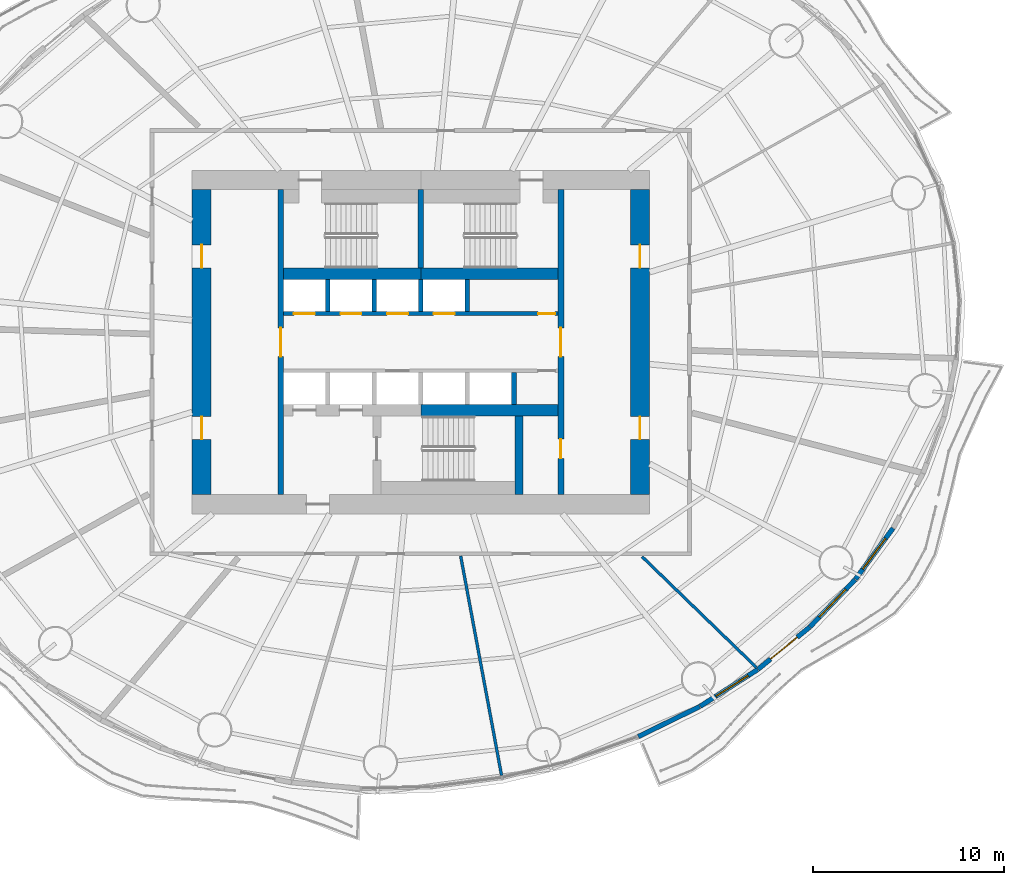
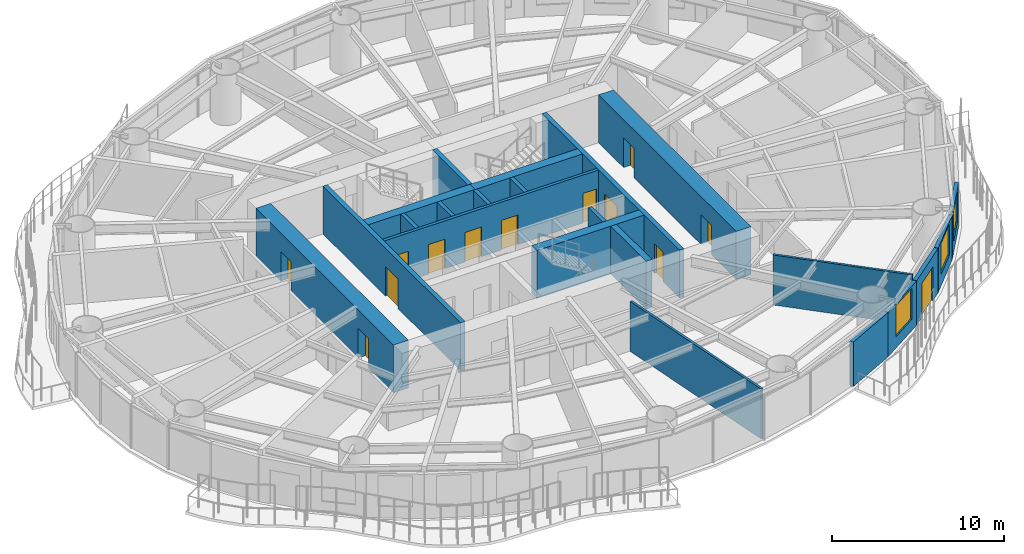
# One storey, part 9 of 17: 22 walls, 13 doors, 3 windows, 16 openings.
"""IFC4 building model written with IfcOpenShell, lengths in metres."""

from ifc_helpers import new_model, si_unit, direction, frame, frame_2d, origin, place, context, subcontext, project, spatial, rectangle, extrude, material, layer, layer_set, type_object, element, fill, save


model = new_model("IFC4")

# Units and contexts
model_context = context("Model", 3, precision=1e-05, world=origin(), true_north=direction((0.0, 1.0)))
body_context = subcontext(model_context, "Body", "Model", "MODEL_VIEW")
ifc_project = project(units=[si_unit("LENGTHUNIT", "METRE"), si_unit("AREAUNIT", "SQUARE_METRE"), si_unit("VOLUMEUNIT", "CUBIC_METRE"), si_unit("PLANEANGLEUNIT", "RADIAN"), si_unit("MASSUNIT", "GRAM", prefix="KILO")], contexts=[model_context])

# Site, building, storey
site_placement = place(None, origin())
site = spatial("IfcSite", under=ifc_project, at=site_placement, CompositionType="ELEMENT")
building_placement = place(site_placement, origin())
building = spatial("IfcBuilding", under=site, at=building_placement, Name="Vermilion Reach Broadcast Tower", CompositionType="ELEMENT")
storey_placement = place(building_placement, frame((0.0, 0.0, 76.699951171875)))
storey = spatial("IfcBuildingStorey", under=building, at=storey_placement, Name="L16", CompositionType="ELEMENT", Elevation=76.699951171875)

# Wall, opening, door
ifc_material_1 = material(Name="Concrete C70", Category="concrete")
ifc_layer_1 = layer(ifc_material_1, 0.300048828125)
ifc_layer_set_1 = layer_set([ifc_layer_1], Name="Core inner wall 300 mm Concrete C70")
wall_type_1 = type_object("IfcWallType", Name="Core inner wall 300 mm Concrete C70", PredefinedType="SHEAR", material=ifc_layer_set_1)
wall_1_placement = place(storey_placement, frame((-13.35009765625, 8.0, 0.0), z_axis=(0.0, 0.0, 1.0), x_axis=(0.0, -1.0, 0.0)))
wall_1 = element("IfcWall", 1, at=wall_1_placement, inside=storey, type_object=wall_type_1, Name="L16 core wall ewW", PredefinedType="SHEAR", context=body_context, shape_type="SweptSolid", body=[
    extrude(rectangle(XDim=16.0, YDim=0.300048828125, at=frame_2d((8.0, 0.0))), origin(), (0.0, 0.0, 1.0), 3.400146484375),
])
opening_1_placement = place(wall_1_placement, frame((7.25, 0.0, 0.0)))
opening_1 = element("IfcOpeningElement", 2, at=opening_1_placement, cuts=wall_1, Name="Opening D04", PredefinedType="OPENING", context=body_context, shape_type="SweptSolid", body=[
    extrude(rectangle(XDim=1.5, YDim=2.10009765625, at=frame_2d((0.75, 1.050048828125))), frame((0.0, 0.159912109375, 0.0), z_axis=(0.0, -1.0, 0.0), x_axis=(1.0, 0.0, 0.0)), (0.0, 0.0, 1.0), 0.320068359375),
])
ifc_material_2 = material(Name="Painted steel fire door", Category="steel")
door_type_1 = type_object("IfcDoorType", Name="Lift lobby door 1500 x 2100", OperationType="DOUBLE_DOOR_SINGLE_SWING", PredefinedType="NOTDEFINED", material=ifc_material_2)
door_1_placement = place(opening_1_placement, origin())
door_1 = element("IfcDoor", 3, at=door_1_placement, inside=storey, type_object=door_type_1, Name="L16 band door BW", OperationType="DOUBLE_DOOR_SINGLE_SWING", OverallHeight=2.10009765625, OverallWidth=1.5, PredefinedType="NOTDEFINED", context=body_context, shape_type="SweptSolid", body=[
    extrude(rectangle(XDim=1.5, YDim=2.10009765625, at=frame_2d((0.75, 1.050048828125))), frame((0.0, 0.02490234375, 0.0), z_axis=(0.0, -1.0, 0.0), x_axis=(1.0, 0.0, 0.0)), (0.0, 0.0, 1.0), 0.050048828125),
])
fill(opening_1, door_1)

# Wall, openings, doors
wall_2_placement = place(storey_placement, frame((1.35009765625, -8.0, 0.0), z_axis=(0.0, 0.0, 1.0), x_axis=(0.0, 1.0, 0.0)))
wall_2 = element("IfcWall", 4, at=wall_2_placement, inside=storey, type_object=wall_type_1, Name="L16 core wall ewE", PredefinedType="SHEAR", context=body_context, shape_type="SweptSolid", body=[
    extrude(rectangle(XDim=16.0, YDim=0.300048828125, at=frame_2d((8.0, 0.0))), origin(), (0.0, 0.0, 1.0), 3.400146484375),
])
opening_2_placement = place(wall_2_placement, frame((1.909912109375, 0.0, 0.0)))
opening_2 = element("IfcOpeningElement", 5, at=opening_2_placement, cuts=wall_2, Name="Opening D05", PredefinedType="OPENING", context=body_context, shape_type="SweptSolid", body=[
    extrude(rectangle(XDim=1.0, YDim=2.10009765625, at=frame_2d((0.5, 1.050048828125))), frame((0.0, 0.159912109375, 0.0), z_axis=(0.0, -1.0, 0.0), x_axis=(1.0, 0.0, 0.0)), (0.0, 0.0, 1.0), 0.320068359375),
])
opening_3_placement = place(wall_2_placement, frame((7.25, 0.0, 0.0)))
opening_3 = element("IfcOpeningElement", 6, at=opening_3_placement, cuts=wall_2, Name="Opening D04", PredefinedType="OPENING", context=body_context, shape_type="SweptSolid", body=[
    extrude(rectangle(XDim=1.5, YDim=2.10009765625, at=frame_2d((0.75, 1.050048828125))), frame((0.0, 0.159912109375, 0.0), z_axis=(0.0, -1.0, 0.0), x_axis=(1.0, 0.0, 0.0)), (0.0, 0.0, 1.0), 0.320068359375),
])
door_2_placement = place(opening_3_placement, origin())
door_2 = element("IfcDoor", 7, at=door_2_placement, inside=storey, type_object=door_type_1, Name="L16 band door BE", OperationType="DOUBLE_DOOR_SINGLE_SWING", OverallHeight=2.10009765625, OverallWidth=1.5, PredefinedType="NOTDEFINED", context=body_context, shape_type="SweptSolid", body=[
    extrude(rectangle(XDim=1.5, YDim=2.10009765625, at=frame_2d((0.75, 1.050048828125))), frame((0.0, 0.02490234375, 0.0), z_axis=(0.0, -1.0, 0.0), x_axis=(1.0, 0.0, 0.0)), (0.0, 0.0, 1.0), 0.050048828125),
])
fill(opening_3, door_2)
ifc_material_3 = material(Name="Timber door", Category="wood")
door_type_2 = type_object("IfcDoorType", Name="Room door 1000 x 2100", OperationType="NOTDEFINED", PredefinedType="NOTDEFINED", material=ifc_material_3)
door_3_placement = place(opening_2_placement, origin())
door_3 = element("IfcDoor", 8, at=door_3_placement, inside=storey, type_object=door_type_2, Name="L16 door SER", OperationType="SINGLE_SWING_LEFT", OverallHeight=2.10009765625, OverallWidth=1.0, PredefinedType="NOTDEFINED", context=body_context, shape_type="SweptSolid", body=[
    extrude(rectangle(XDim=1.0, YDim=2.10009765625, at=frame_2d((0.5, 1.050048828125))), frame((0.0, 0.02490234375, 0.0), z_axis=(0.0, -1.0, 0.0), x_axis=(1.0, 0.0, 0.0)), (0.0, 0.0, 1.0), 0.050048828125),
])
fill(opening_2, door_3)

# Walls
wall_3_placement = place(storey_placement, frame((-6.0, 3.8798828125, 0.0), z_axis=(0.0, 0.0, 1.0), x_axis=(0.0, 1.0, 0.0)))
element("IfcWall", 9, at=wall_3_placement, inside=storey, type_object=wall_type_1, Name="L16 core wall wc", PredefinedType="SHEAR", context=body_context, shape_type="SweptSolid", body=[
    extrude(rectangle(XDim=4.1201171875, YDim=0.300048828125, at=frame_2d((2.06005859375, 0.0))), origin(), (0.0, 0.0, 1.0), 3.400146484375),
])
ifc_material_4 = material(Name="Concrete C70", Category="concrete")
ifc_layer_2 = layer(ifc_material_4, 0.39990234375)
ifc_layer_set_2 = layer_set([ifc_layer_2], Name="Core inner wall 400 mm Concrete C70")
wall_type_2 = type_object("IfcWallType", Name="Core inner wall 400 mm Concrete C70", PredefinedType="SHEAR", material=ifc_layer_set_2)
wall_4_placement = place(storey_placement, frame((-0.85009765625, -3.8798828125, 0.0), z_axis=(0.0, 0.0, 1.0), x_axis=(0.0, -1.0, 0.0)))
element("IfcWall", 10, at=wall_4_placement, inside=storey, type_object=wall_type_2, Name="L16 core wall wb", PredefinedType="SHEAR", context=body_context, shape_type="SweptSolid", body=[
    extrude(rectangle(XDim=4.1201171875, YDim=0.39990234375, at=frame_2d((2.06005859375, 0.0))), origin(), (0.0, 0.0, 1.0), 3.400146484375),
])
ifc_material_5 = material(Name="Concrete C70", Category="concrete")
ifc_layer_3 = layer(ifc_material_5, 0.60009765625)
ifc_layer_set_3 = layer_set([ifc_layer_3], Name="Core inner wall 600 mm Concrete C70")
wall_type_3 = type_object("IfcWallType", Name="Core inner wall 600 mm Concrete C70", PredefinedType="SHEAR", material=ifc_layer_set_3)
for number, where, z_axis, x_axis, name in (
    (11, (-13.199951171875, 3.580078125, 0.0), (0.0, 0.0, 1.0), (1.0, 0.0, 0.0), "L16 core wall winW"),
    (12, (-6.0, 3.580078125, 0.0), (0.0, 0.0, 1.0), (1.0, 0.0, 0.0), "L16 core wall winE"),
    (13, (-6.0, -3.580078125, 0.0), (0.0, 0.0, 1.0), (1.0, 0.0, 0.0), "L16 core wall wisE"),
):
    element("IfcWall", number, at=place(storey_placement, frame(where, z_axis=z_axis, x_axis=x_axis)), inside=storey, type_object=wall_type_3, Name=name, PredefinedType="SHEAR", context=body_context, shape_type="SweptSolid", body=[
        extrude(rectangle(XDim=7.199951171875, YDim=0.60009765625, at=frame_2d((3.60009765625, 0.0))), origin(), (0.0, 0.0, 1.0), 3.400146484375),
    ])

# Wall, openings, doors
ifc_material_6 = material(Name="Concrete C70", Category="concrete")
ifc_layer_4 = layer(ifc_material_6, 1.0)
ifc_layer_set_4 = layer_set([ifc_layer_4], Name="Core outer wall 1000 mm Concrete C70")
wall_type_4 = type_object("IfcWallType", Name="Core outer wall 1000 mm Concrete C70", PredefinedType="SHEAR", material=ifc_layer_set_4)
wall_5_placement = place(storey_placement, frame((-17.5, 8.0, 0.0), z_axis=(0.0, 0.0, 1.0), x_axis=(0.0, -1.0, 0.0)))
wall_5 = element("IfcWall", 14, at=wall_5_placement, inside=storey, type_object=wall_type_4, Name="L16 core wall ow", PredefinedType="SHEAR", context=body_context, shape_type="SweptSolid", body=[
    extrude(rectangle(XDim=16.0, YDim=1.0, at=frame_2d((8.0, 0.0))), origin(), (0.0, 0.0, 1.0), 3.400146484375),
])
opening_4_placement = place(wall_5_placement, frame((11.89990234375, 0.0, 0.0)))
opening_4 = element("IfcOpeningElement", 15, at=opening_4_placement, cuts=wall_5, Name="Opening D03", PredefinedType="OPENING", context=body_context, shape_type="SweptSolid", body=[
    extrude(rectangle(XDim=1.199951171875, YDim=2.10009765625, at=frame_2d((0.60009765625, 1.050048828125))), frame((0.0, 0.510009765625, 0.0), z_axis=(0.0, -1.0, 0.0), x_axis=(1.0, 0.0, 0.0)), (0.0, 0.0, 1.0), 1.02001953125),
])
opening_5_placement = place(wall_5_placement, frame((2.89990234375, 0.0, 0.0)))
opening_5 = element("IfcOpeningElement", 16, at=opening_5_placement, cuts=wall_5, Name="Opening D03", PredefinedType="OPENING", context=body_context, shape_type="SweptSolid", body=[
    extrude(rectangle(XDim=1.199951171875, YDim=2.10009765625, at=frame_2d((0.60009765625, 1.050048828125))), frame((0.0, 0.510009765625, 0.0), z_axis=(0.0, -1.0, 0.0), x_axis=(1.0, 0.0, 0.0)), (0.0, 0.0, 1.0), 1.02001953125),
])
ifc_material_7 = material(Name="Painted steel fire door", Category="steel")
door_type_3 = type_object("IfcDoorType", Name="Core lobby door 1200 x 2100", OperationType="DOUBLE_DOOR_SINGLE_SWING", PredefinedType="NOTDEFINED", material=ifc_material_7)
door_4_placement = place(opening_4_placement, origin())
door_4 = element("IfcDoor", 17, at=door_4_placement, inside=storey, type_object=door_type_3, Name="L16 slot door W0", OperationType="DOUBLE_DOOR_SINGLE_SWING", OverallHeight=2.10009765625, OverallWidth=1.199951171875, PredefinedType="NOTDEFINED", context=body_context, shape_type="SweptSolid", body=[
    extrude(rectangle(XDim=1.199951171875, YDim=2.10009765625, at=frame_2d((0.60009765625, 1.050048828125))), frame((0.0, 0.02490234375, 0.0), z_axis=(0.0, -1.0, 0.0), x_axis=(1.0, 0.0, 0.0)), (0.0, 0.0, 1.0), 0.050048828125),
])
fill(opening_4, door_4)
door_5_placement = place(opening_5_placement, origin())
door_5 = element("IfcDoor", 18, at=door_5_placement, inside=storey, type_object=door_type_3, Name="L16 slot door W1", OperationType="DOUBLE_DOOR_SINGLE_SWING", OverallHeight=2.10009765625, OverallWidth=1.199951171875, PredefinedType="NOTDEFINED", context=body_context, shape_type="SweptSolid", body=[
    extrude(rectangle(XDim=1.199951171875, YDim=2.10009765625, at=frame_2d((0.60009765625, 1.050048828125))), frame((0.0, 0.02490234375, 0.0), z_axis=(0.0, -1.0, 0.0), x_axis=(1.0, 0.0, 0.0)), (0.0, 0.0, 1.0), 0.050048828125),
])
fill(opening_5, door_5)

wall_6_placement = place(storey_placement, frame((5.5, -8.0, 0.0), z_axis=(0.0, 0.0, 1.0), x_axis=(0.0, 1.0, 0.0)))
wall_6 = element("IfcWall", 19, at=wall_6_placement, inside=storey, type_object=wall_type_4, Name="L16 core wall oe", PredefinedType="SHEAR", context=body_context, shape_type="SweptSolid", body=[
    extrude(rectangle(XDim=16.0, YDim=1.0, at=frame_2d((8.0, 0.0))), origin(), (0.0, 0.0, 1.0), 3.400146484375),
])
opening_6_placement = place(wall_6_placement, frame((2.89990234375, 0.0, 0.0)))
opening_6 = element("IfcOpeningElement", 20, at=opening_6_placement, cuts=wall_6, Name="Opening D03", PredefinedType="OPENING", context=body_context, shape_type="SweptSolid", body=[
    extrude(rectangle(XDim=1.199951171875, YDim=2.10009765625, at=frame_2d((0.60009765625, 1.050048828125))), frame((0.0, 0.510009765625, 0.0), z_axis=(0.0, -1.0, 0.0), x_axis=(1.0, 0.0, 0.0)), (0.0, 0.0, 1.0), 1.02001953125),
])
opening_7_placement = place(wall_6_placement, frame((11.89990234375, 0.0, 0.0)))
opening_7 = element("IfcOpeningElement", 21, at=opening_7_placement, cuts=wall_6, Name="Opening D03", PredefinedType="OPENING", context=body_context, shape_type="SweptSolid", body=[
    extrude(rectangle(XDim=1.199951171875, YDim=2.10009765625, at=frame_2d((0.60009765625, 1.050048828125))), frame((0.0, 0.510009765625, 0.0), z_axis=(0.0, -1.0, 0.0), x_axis=(1.0, 0.0, 0.0)), (0.0, 0.0, 1.0), 1.02001953125),
])
door_6_placement = place(opening_6_placement, origin())
door_6 = element("IfcDoor", 22, at=door_6_placement, inside=storey, type_object=door_type_3, Name="L16 slot door E0", OperationType="DOUBLE_DOOR_SINGLE_SWING", OverallHeight=2.10009765625, OverallWidth=1.199951171875, PredefinedType="NOTDEFINED", context=body_context, shape_type="SweptSolid", body=[
    extrude(rectangle(XDim=1.199951171875, YDim=2.10009765625, at=frame_2d((0.60009765625, 1.050048828125))), frame((0.0, 0.02490234375, 0.0), z_axis=(0.0, -1.0, 0.0), x_axis=(1.0, 0.0, 0.0)), (0.0, 0.0, 1.0), 0.050048828125),
])
fill(opening_6, door_6)
door_7_placement = place(opening_7_placement, origin())
door_7 = element("IfcDoor", 23, at=door_7_placement, inside=storey, type_object=door_type_3, Name="L16 slot door E1", OperationType="DOUBLE_DOOR_SINGLE_SWING", OverallHeight=2.10009765625, OverallWidth=1.199951171875, PredefinedType="NOTDEFINED", context=body_context, shape_type="SweptSolid", body=[
    extrude(rectangle(XDim=1.199951171875, YDim=2.10009765625, at=frame_2d((0.60009765625, 1.050048828125))), frame((0.0, 0.02490234375, 0.0), z_axis=(0.0, -1.0, 0.0), x_axis=(1.0, 0.0, 0.0)), (0.0, 0.0, 1.0), 0.050048828125),
])
fill(opening_7, door_7)

ifc_material_8 = material(Name="Concrete C50", Category="concrete")
ifc_layer_5 = layer(ifc_material_8, 0.199951171875)
ifc_layer_set_5 = layer_set([ifc_layer_5], Name="Core shaft wall 200 mm Concrete C50")
wall_type_5 = type_object("IfcWallType", Name="Core shaft wall 200 mm Concrete C50", PredefinedType="SHEAR", material=ifc_layer_set_5)
wall_7_placement = place(storey_placement, frame((-13.199951171875, 1.5, 0.0), z_axis=(0.0, 0.0, 1.0), x_axis=(1.0, 0.0, 0.0)))
wall_7 = element("IfcWall", 24, at=wall_7_placement, inside=storey, type_object=wall_type_5, Name="L16 core wall fn", PredefinedType="SHEAR", context=body_context, shape_type="SweptSolid", body=[
    extrude(rectangle(XDim=14.39990234375, YDim=0.199951171875, at=frame_2d((7.199951171875, 0.0))), origin(), (0.0, 0.0, 1.0), 3.400146484375),
])
opening_8_placement = place(wall_7_placement, frame((0.5458984375, 0.0, 0.0)))
opening_8 = element("IfcOpeningElement", 25, at=opening_8_placement, cuts=wall_7, Name="Opening LD2", PredefinedType="OPENING", context=body_context, shape_type="SweptSolid", body=[
    extrude(rectangle(XDim=1.10009765625, YDim=2.10009765625, at=frame_2d((0.550048828125, 1.050048828125))), frame((0.0, 0.10986328125, 0.0), z_axis=(0.0, -1.0, 0.0), x_axis=(1.0, 0.0, 0.0)), (0.0, 0.0, 1.0), 0.219970703125),
])
opening_9_placement = place(wall_7_placement, frame((2.987548828125, 0.0, 0.0)))
opening_9 = element("IfcOpeningElement", 26, at=opening_9_placement, cuts=wall_7, Name="Opening LD2", PredefinedType="OPENING", context=body_context, shape_type="SweptSolid", body=[
    extrude(rectangle(XDim=1.10009765625, YDim=2.10009765625, at=frame_2d((0.550048828125, 1.050048828125))), frame((0.0, 0.10986328125, 0.0), z_axis=(0.0, -1.0, 0.0), x_axis=(1.0, 0.0, 0.0)), (0.0, 0.0, 1.0), 0.219970703125),
])
opening_10_placement = place(wall_7_placement, frame((5.42919921875, 0.0, 0.0)))
opening_10 = element("IfcOpeningElement", 27, at=opening_10_placement, cuts=wall_7, Name="Opening LD2", PredefinedType="OPENING", context=body_context, shape_type="SweptSolid", body=[
    extrude(rectangle(XDim=1.10009765625, YDim=2.10009765625, at=frame_2d((0.550048828125, 1.050048828125))), frame((0.0, 0.10986328125, 0.0), z_axis=(0.0, -1.0, 0.0), x_axis=(1.0, 0.0, 0.0)), (0.0, 0.0, 1.0), 0.219970703125),
])
opening_11_placement = place(wall_7_placement, frame((7.870849609375, 0.0, 0.0)))
opening_11 = element("IfcOpeningElement", 28, at=opening_11_placement, cuts=wall_7, Name="Opening LD2", PredefinedType="OPENING", context=body_context, shape_type="SweptSolid", body=[
    extrude(rectangle(XDim=1.10009765625, YDim=2.10009765625, at=frame_2d((0.550048828125, 1.050048828125))), frame((0.0, 0.10986328125, 0.0), z_axis=(0.0, -1.0, 0.0), x_axis=(1.0, 0.0, 0.0)), (0.0, 0.0, 1.0), 0.219970703125),
])
opening_12_placement = place(wall_7_placement, frame((13.35009765625, 0.0, 0.0)))
opening_12 = element("IfcOpeningElement", 29, at=opening_12_placement, cuts=wall_7, Name="Opening D06", PredefinedType="OPENING", context=body_context, shape_type="SweptSolid", body=[
    extrude(rectangle(XDim=0.89990234375, YDim=2.10009765625, at=frame_2d((0.449951171875, 1.050048828125))), frame((0.0, 0.10986328125, 0.0), z_axis=(0.0, -1.0, 0.0), x_axis=(1.0, 0.0, 0.0)), (0.0, 0.0, 1.0), 0.219970703125),
])
ifc_material_9 = material(Name="Stainless steel", Category="steel")
door_type_4 = type_object("IfcDoorType", Name="Landing door 1100 x 2100", OperationType="DOUBLE_DOOR_SLIDING", PredefinedType="NOTDEFINED", material=ifc_material_9)
door_8_placement = place(opening_8_placement, origin())
door_8 = element("IfcDoor", 30, at=door_8_placement, inside=storey, type_object=door_type_4, Name="L16 landing door LR1", OperationType="DOUBLE_DOOR_SLIDING", OverallHeight=2.10009765625, OverallWidth=1.10009765625, PredefinedType="NOTDEFINED", context=body_context, shape_type="SweptSolid", body=[
    extrude(rectangle(XDim=1.10009765625, YDim=2.10009765625, at=frame_2d((0.550048828125, 1.050048828125))), frame((0.0, 0.02490234375, 0.0), z_axis=(0.0, -1.0, 0.0), x_axis=(1.0, 0.0, 0.0)), (0.0, 0.0, 1.0), 0.050048828125),
])
fill(opening_8, door_8)
door_9_placement = place(opening_9_placement, origin())
door_9 = element("IfcDoor", 31, at=door_9_placement, inside=storey, type_object=door_type_4, Name="L16 landing door LR2", OperationType="DOUBLE_DOOR_SLIDING", OverallHeight=2.10009765625, OverallWidth=1.10009765625, PredefinedType="NOTDEFINED", context=body_context, shape_type="SweptSolid", body=[
    extrude(rectangle(XDim=1.10009765625, YDim=2.10009765625, at=frame_2d((0.550048828125, 1.050048828125))), frame((0.0, 0.02490234375, 0.0), z_axis=(0.0, -1.0, 0.0), x_axis=(1.0, 0.0, 0.0)), (0.0, 0.0, 1.0), 0.050048828125),
])
fill(opening_9, door_9)
door_10_placement = place(opening_10_placement, origin())
door_10 = element("IfcDoor", 32, at=door_10_placement, inside=storey, type_object=door_type_4, Name="L16 landing door LR3", OperationType="DOUBLE_DOOR_SLIDING", OverallHeight=2.10009765625, OverallWidth=1.10009765625, PredefinedType="NOTDEFINED", context=body_context, shape_type="SweptSolid", body=[
    extrude(rectangle(XDim=1.10009765625, YDim=2.10009765625, at=frame_2d((0.550048828125, 1.050048828125))), frame((0.0, 0.02490234375, 0.0), z_axis=(0.0, -1.0, 0.0), x_axis=(1.0, 0.0, 0.0)), (0.0, 0.0, 1.0), 0.050048828125),
])
fill(opening_10, door_10)
door_11_placement = place(opening_11_placement, origin())
door_11 = element("IfcDoor", 33, at=door_11_placement, inside=storey, type_object=door_type_4, Name="L16 landing door LR4", OperationType="DOUBLE_DOOR_SLIDING", OverallHeight=2.10009765625, OverallWidth=1.10009765625, PredefinedType="NOTDEFINED", context=body_context, shape_type="SweptSolid", body=[
    extrude(rectangle(XDim=1.10009765625, YDim=2.10009765625, at=frame_2d((0.550048828125, 1.050048828125))), frame((0.0, 0.02490234375, 0.0), z_axis=(0.0, -1.0, 0.0), x_axis=(1.0, 0.0, 0.0)), (0.0, 0.0, 1.0), 0.050048828125),
])
fill(opening_11, door_11)
ifc_material_10 = material(Name="Timber door", Category="wood")
door_type_5 = type_object("IfcDoorType", Name="WC door 900 x 2100", OperationType="NOTDEFINED", PredefinedType="NOTDEFINED", material=ifc_material_10)
door_12_placement = place(opening_12_placement, origin())
door_12 = element("IfcDoor", 34, at=door_12_placement, inside=storey, type_object=door_type_5, Name="L16 door Female WC", OperationType="SINGLE_SWING_RIGHT", OverallHeight=2.10009765625, OverallWidth=0.89990234375, PredefinedType="NOTDEFINED", context=body_context, shape_type="SweptSolid", body=[
    extrude(rectangle(XDim=0.89990234375, YDim=2.10009765625, at=frame_2d((0.449951171875, 1.050048828125))), frame((0.0, 0.02490234375, 0.0), z_axis=(0.0, -1.0, 0.0), x_axis=(1.0, 0.0, 0.0)), (0.0, 0.0, 1.0), 0.050048828125),
])
fill(opening_12, door_12)

# Walls
ifc_material_11 = material(Name="Concrete C50", Category="concrete")
ifc_layer_6 = layer(ifc_material_11, 0.25)
ifc_layer_set_6 = layer_set([ifc_layer_6], Name="Core shaft wall 250 mm Concrete C50")
wall_type_6 = type_object("IfcWallType", Name="Core shaft wall 250 mm Concrete C50", PredefinedType="SHEAR", material=ifc_layer_set_6)
for number, where, z_axis, x_axis, name in (
    (35, (-10.88330078125, 1.60009765625, 0.0), (0.0, 0.0, 1.0), (0.0, 1.0, 0.0), "L16 core wall psN0"),
    (36, (-8.441650390625, 1.60009765625, 0.0), (0.0, 0.0, 1.0), (0.0, 1.0, 0.0), "L16 core wall psN1"),
    (37, (-6.0, 1.60009765625, 0.0), (0.0, 0.0, 1.0), (0.0, 1.0, 0.0), "L16 core wall psN2"),
    (38, (-3.558349609375, 1.60009765625, 0.0), (0.0, 0.0, 1.0), (0.0, 1.0, 0.0), "L16 core wall psN3"),
    (39, (-1.11669921875, -1.60009765625, 0.0), (0.0, 0.0, 1.0), (0.0, -1.0, 0.0), "L16 core wall psS4"),
):
    element("IfcWall", number, at=place(storey_placement, frame(where, z_axis=z_axis, x_axis=x_axis)), inside=storey, type_object=wall_type_6, Name=name, PredefinedType="SHEAR", context=body_context, shape_type="SweptSolid", body=[
        extrude(rectangle(XDim=1.679931640625, YDim=0.25, at=frame_2d((0.83984375, 0.0))), origin(), (0.0, 0.0, 1.0), 3.400146484375),
    ])
ifc_material_12 = material(Name="Lightweight concrete block, plastered", Category="concrete")
ifc_layer_7 = layer(ifc_material_12, 0.14990234375)
ifc_layer_set_7 = layer_set([ifc_layer_7], Name="Partition 150 lightweight block")
wall_type_7 = type_object("IfcWallType", Name="Partition 150 lightweight block", PredefinedType="PARTITIONING", material=ifc_layer_set_7)
wall_8_placement = place(storey_placement, frame((-1.763427734375, -22.72607421875, 0.0), z_axis=(0.0, 0.0, 1.0), x_axis=(-0.183249988058, 0.98306634663, 0.0)))
element("IfcWall", 40, at=wall_8_placement, inside=storey, type_object=wall_type_7, Name="Partition 16.13", PredefinedType="PARTITIONING", context=body_context, shape_type="SweptSolid", body=[
    extrude(rectangle(XDim=11.710693359375, YDim=0.14990234375, at=frame_2d((5.85546875, 0.0))), origin(), (0.0, 0.0, 1.0), 3.550048828125),
])
wall_9_placement = place(storey_placement, frame((11.609130859375, -17.066162109375, 0.0), z_axis=(0.0, 0.0, 1.0), x_axis=(-0.71809914042, 0.695940819702, 0.0)))
element("IfcWall", 41, at=wall_9_placement, inside=storey, type_object=wall_type_7, Name="Partition 16.14", PredefinedType="PARTITIONING", context=body_context, shape_type="SweptSolid", body=[
    extrude(rectangle(XDim=8.3515625, YDim=0.14990234375, at=frame_2d((4.17578125, 0.0))), origin(), (0.0, 0.0, 1.0), 3.550048828125),
])
ifc_material_13 = material(Name="Terracotta rainscreen cladding", Category="masonry")
ifc_layer_8 = layer(ifc_material_13, 0.25)
ifc_layer_set_8 = layer_set([ifc_layer_8], Name="Terracotta rainscreen wall 250")
wall_type_8 = type_object("IfcWallType", Name="Terracotta rainscreen wall 250", PredefinedType="SOLIDWALL", material=ifc_layer_set_8)
wall_10_placement = place(storey_placement, frame((5.409912109375, -20.692138671875, 0.0), z_axis=(0.0, 0.0, 1.0), x_axis=(0.897998084463, 0.439999363978, 0.0)))
element("IfcWall", 42, at=wall_10_placement, inside=storey, type_object=wall_type_8, Name="External wall L16 38", PredefinedType="SOLIDWALL", context=body_context, shape_type="SweptSolid", body=[
    extrude(rectangle(XDim=3.594482421875, YDim=0.25, at=frame_2d((1.79736328125, 0.0))), origin(), (0.0, 0.0, 1.0), 3.150146484375),
])

# Wall, opening, window
wall_11_placement = place(storey_placement, frame((8.65673828125, -19.099609375, 0.0), z_axis=(0.0, 0.0, 1.0), x_axis=(0.842814889598, 0.538203550594, 0.0)))
wall_11 = element("IfcWall", 43, at=wall_11_placement, inside=storey, type_object=wall_type_8, Name="External wall L16 39", PredefinedType="SOLIDWALL", context=body_context, shape_type="SweptSolid", body=[
    extrude(rectangle(XDim=3.57861328125, YDim=0.25, at=frame_2d((1.789306640625, 0.0))), origin(), (0.0, 0.0, 1.0), 3.150146484375),
])
opening_13_placement = place(wall_11_placement, frame((0.989013671875, 0.0, 0.800048828125)))
opening_13 = element("IfcOpeningElement", 44, at=opening_13_placement, cuts=wall_11, Name="Opening W01", PredefinedType="OPENING", context=body_context, shape_type="SweptSolid", body=[
    extrude(rectangle(XDim=2.0, YDim=2.199951171875, at=frame_2d((1.0, 1.10009765625))), frame((0.0, 0.135009765625, 0.0), z_axis=(0.0, -1.0, 0.0), x_axis=(1.0, 0.0, 0.0)), (0.0, 0.0, 1.0), 0.27001953125),
])
ifc_material_14 = material(Name="Low-e laminated clear glass in aluminium frame", Category="aluminium")
window_type = type_object("IfcWindowType", Name="Punched window 2000 x 2200 sill 800", PartitioningType="SINGLE_PANEL", PredefinedType="WINDOW", material=ifc_material_14)
window_1_placement = place(opening_13_placement, origin())
window_1 = element("IfcWindow", 45, at=window_1_placement, inside=storey, type_object=window_type, Name="Window L16 39", OverallHeight=2.199951171875, OverallWidth=2.0, PartitioningType="SINGLE_PANEL", PredefinedType="WINDOW", context=body_context, shape_type="SweptSolid", body=[
    extrude(rectangle(XDim=2.0, YDim=2.199951171875, at=frame_2d((1.0, 1.10009765625))), frame((0.0, 0.030029296875, 0.0), z_axis=(0.0, -1.0, 0.0), x_axis=(1.0, 0.0, 0.0)), (0.0, 0.0, 1.0), 0.06005859375),
])
fill(opening_13, window_1)

# Wall, opening, door
wall_12_placement = place(storey_placement, frame((11.691162109375, -17.160400390625, 0.0), z_axis=(0.0, 0.0, 1.0), x_axis=(0.774224225452, 0.632911406694, 0.0)))
wall_12 = element("IfcWall", 46, at=wall_12_placement, inside=storey, type_object=wall_type_8, Name="External wall L16 40", PredefinedType="SOLIDWALL", context=body_context, shape_type="SweptSolid", body=[
    extrude(rectangle(XDim=3.503662109375, YDim=0.25, at=frame_2d((1.751953125, 0.0))), origin(), (0.0, 0.0, 1.0), 3.150146484375),
])
opening_14_placement = place(wall_12_placement, frame((0.85205078125, 0.0, 0.0)))
opening_14 = element("IfcOpeningElement", 47, at=opening_14_placement, cuts=wall_12, Name="Opening D70", PredefinedType="OPENING", context=body_context, shape_type="SweptSolid", body=[
    extrude(rectangle(XDim=1.800048828125, YDim=2.39990234375, at=frame_2d((0.89990234375, 1.199951171875))), frame((0.0, 0.135009765625, 0.0), z_axis=(0.0, -1.0, 0.0), x_axis=(1.0, 0.0, 0.0)), (0.0, 0.0, 1.0), 0.27001953125),
])
ifc_material_15 = material(Name="Low-e laminated clear glass in aluminium frame", Category="aluminium")
door_type_6 = type_object("IfcDoorType", Name="Balcony sliding door 1800 x 2400", OperationType="DOUBLE_DOOR_SLIDING", PredefinedType="DOOR", material=ifc_material_15)
door_13_placement = place(opening_14_placement, origin())
door_13 = element("IfcDoor", 48, at=door_13_placement, inside=storey, type_object=door_type_6, Name="Balcony door L16 run 10", OperationType="DOUBLE_DOOR_SLIDING", OverallHeight=2.39990234375, OverallWidth=1.800048828125, PredefinedType="DOOR", context=body_context, shape_type="SweptSolid", body=[
    extrude(rectangle(XDim=1.800048828125, YDim=2.39990234375, at=frame_2d((0.89990234375, 1.199951171875))), frame((0.0, 0.02490234375, 0.0), z_axis=(0.0, -1.0, 0.0), x_axis=(1.0, 0.0, 0.0)), (0.0, 0.0, 1.0), 0.050048828125),
])
fill(opening_14, door_13)

# Wall, opening, window
wall_13_placement = place(storey_placement, frame((14.4208984375, -14.92724609375, 0.0), z_axis=(0.0, 0.0, 1.0), x_axis=(0.691365335557, 0.722505344472, 0.0)))
wall_13 = element("IfcWall", 49, at=wall_13_placement, inside=storey, type_object=wall_type_8, Name="External wall L16 41", PredefinedType="SOLIDWALL", context=body_context, shape_type="SweptSolid", body=[
    extrude(rectangle(XDim=3.418212890625, YDim=0.25, at=frame_2d((1.708984375, 0.0))), origin(), (0.0, 0.0, 1.0), 3.150146484375),
])
opening_15_placement = place(wall_13_placement, frame((0.708984375, 0.0, 0.800048828125)))
opening_15 = element("IfcOpeningElement", 50, at=opening_15_placement, cuts=wall_13, Name="Opening W01", PredefinedType="OPENING", context=body_context, shape_type="SweptSolid", body=[
    extrude(rectangle(XDim=2.0, YDim=2.199951171875, at=frame_2d((1.0, 1.10009765625))), frame((0.0, 0.135009765625, 0.0), z_axis=(0.0, -1.0, 0.0), x_axis=(1.0, 0.0, 0.0)), (0.0, 0.0, 1.0), 0.27001953125),
])
window_2_placement = place(opening_15_placement, origin())
window_2 = element("IfcWindow", 51, at=window_2_placement, inside=storey, type_object=window_type, Name="Window L16 41", OverallHeight=2.199951171875, OverallWidth=2.0, PartitioningType="SINGLE_PANEL", PredefinedType="WINDOW", context=body_context, shape_type="SweptSolid", body=[
    extrude(rectangle(XDim=2.0, YDim=2.199951171875, at=frame_2d((1.0, 1.10009765625))), frame((0.0, 0.030029296875, 0.0), z_axis=(0.0, -1.0, 0.0), x_axis=(1.0, 0.0, 0.0)), (0.0, 0.0, 1.0), 0.06005859375),
])
fill(opening_15, window_2)

wall_14_placement = place(storey_placement, frame((16.799560546875, -12.439208984375, 0.0), z_axis=(0.0, 0.0, 1.0), x_axis=(0.593169002349, 0.805077968058, 0.0)))
wall_14 = element("IfcWall", 52, at=wall_14_placement, inside=storey, type_object=wall_type_8, Name="External wall L16 42", PredefinedType="SOLIDWALL", context=body_context, shape_type="SweptSolid", body=[
    extrude(rectangle(XDim=3.3271484375, YDim=0.25, at=frame_2d((1.66357421875, 0.0))), origin(), (0.0, 0.0, 1.0), 3.150146484375),
])
opening_16_placement = place(wall_14_placement, frame((0.66357421875, 0.0, 0.800048828125)))
opening_16 = element("IfcOpeningElement", 53, at=opening_16_placement, cuts=wall_14, Name="Opening W01", PredefinedType="OPENING", context=body_context, shape_type="SweptSolid", body=[
    extrude(rectangle(XDim=2.0, YDim=2.199951171875, at=frame_2d((1.0, 1.10009765625))), frame((0.0, 0.135009765625, 0.0), z_axis=(0.0, -1.0, 0.0), x_axis=(1.0, 0.0, 0.0)), (0.0, 0.0, 1.0), 0.27001953125),
])
window_3_placement = place(opening_16_placement, origin())
window_3 = element("IfcWindow", 54, at=window_3_placement, inside=storey, type_object=window_type, Name="Window L16 42", OverallHeight=2.199951171875, OverallWidth=2.0, PartitioningType="SINGLE_PANEL", PredefinedType="WINDOW", context=body_context, shape_type="SweptSolid", body=[
    extrude(rectangle(XDim=2.0, YDim=2.199951171875, at=frame_2d((1.0, 1.10009765625))), frame((0.0, 0.030029296875, 0.0), z_axis=(0.0, -1.0, 0.0), x_axis=(1.0, 0.0, 0.0)), (0.0, 0.0, 1.0), 0.06005859375),
])
fill(opening_16, window_3)

save(model, "model.ifc")
